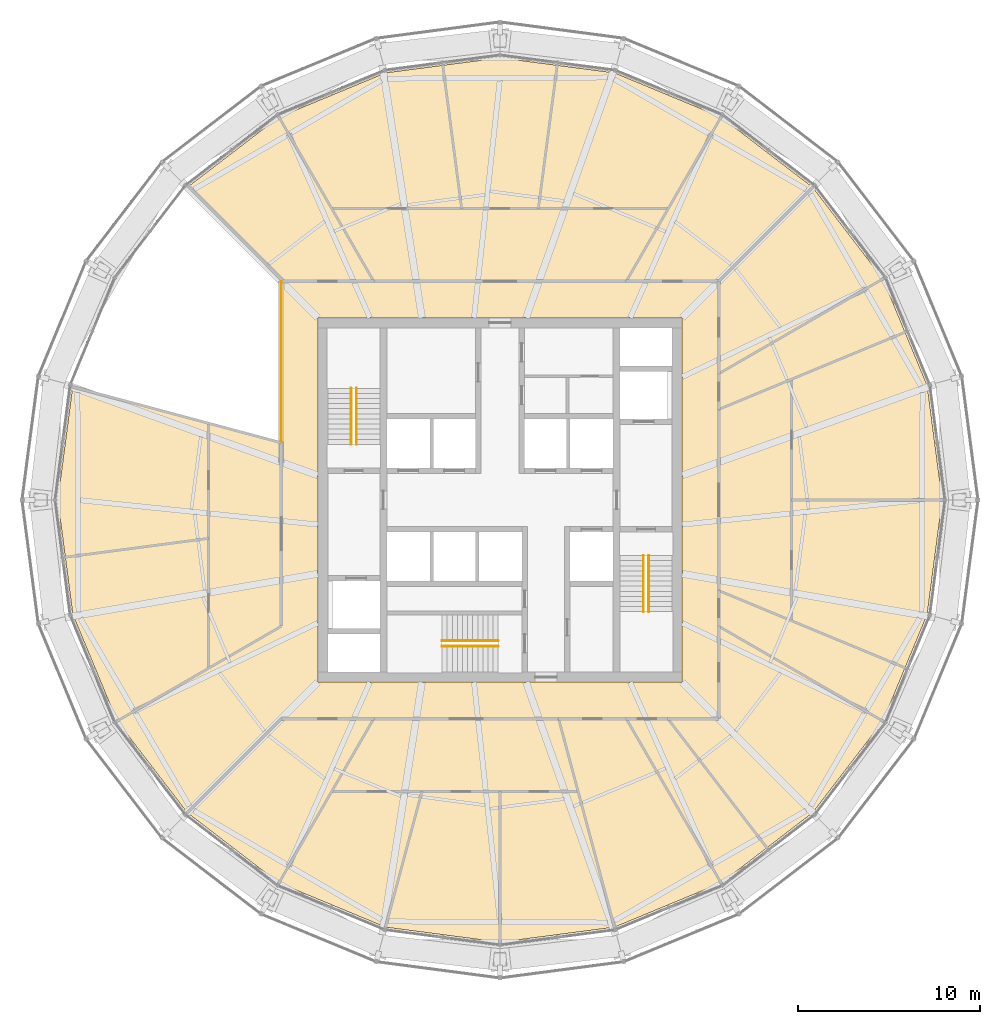
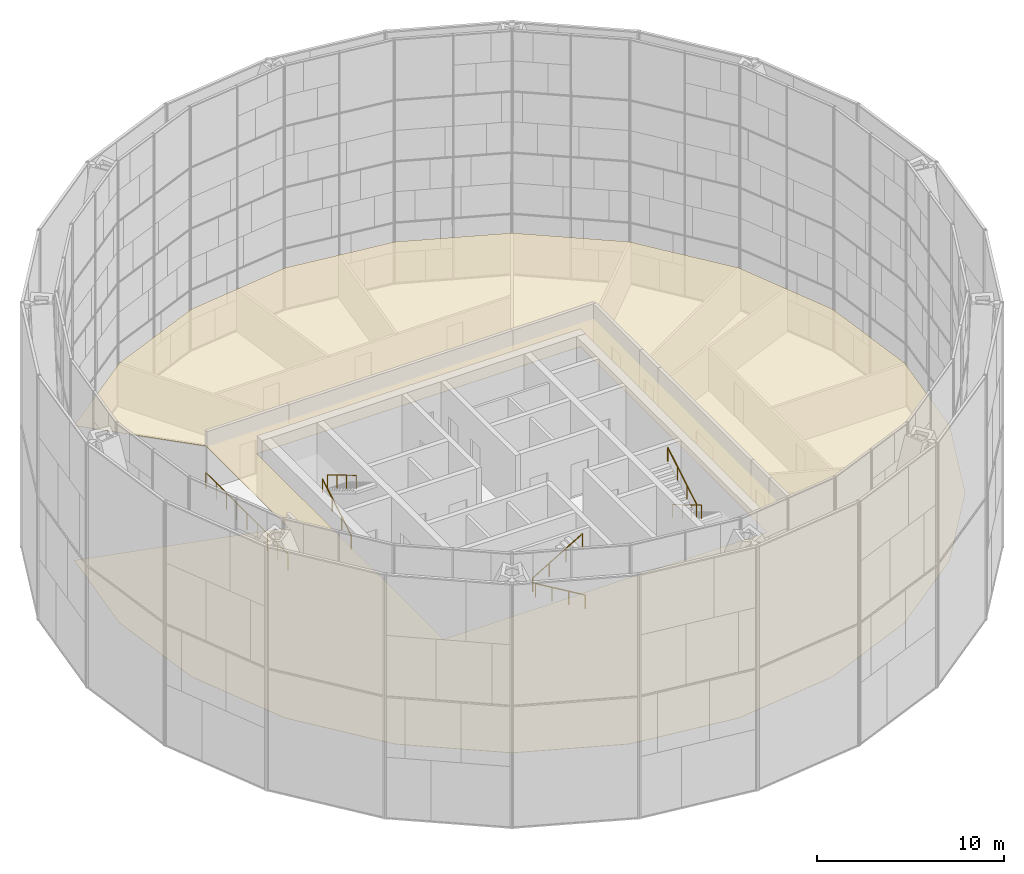
# One storey, part 28 of 28: 7 railings, 1 covering.
"""IFC4 building model written with IfcOpenShell, lengths in metres."""

import ifcopenshell
import ifcopenshell.guid

model = None  # the IFC model being written
_history = None  # IfcOwnerHistory: only IFC2X3 demands one
_inside = {}  # id of a spatial element -> (the spatial element, [elements in it])
_under = {}  # id of a project, library or spatial element -> (it, [spatial elements below it])
_declared = {}  # id of a project -> (the project, [libraries it declares])
_typed = {}  # id of a type object -> (the type object, [elements of that type])
_made_of = {}  # id of a material, layer set ... -> (it, [elements and type objects made of it])


def new_model(schema):
    """Start an empty IFC model of exactly this schema.

    Asked for "IFC4X3", IfcOpenShell would pick the latest addendum, in which some entities
    have other attributes; the version numbers below select the first issue.
    IFC2X3 requires an IfcOwnerHistory on every rooted entity: one is made here for all.
    """
    global model, _history
    if schema == "IFC4X3":
        model = ifcopenshell.file(schema_version=(4, 3, 0, 0))
    else:
        model = ifcopenshell.file(schema=schema)
    _inside.clear()
    _under.clear()
    _declared.clear()
    _typed.clear()
    _made_of.clear()
    _history = None
    if model.schema == "IFC2X3":
        org = make("IfcOrganization", Name="unknown")
        user = make(
            "IfcPersonAndOrganization",
            ThePerson=make("IfcPerson", FamilyName="unknown"),
            TheOrganization=org,
        )
        app = make(
            "IfcApplication",
            ApplicationDeveloper=org,
            Version="unknown",
            ApplicationFullName="unknown",
            ApplicationIdentifier="unknown",
        )
        _history = make(
            "IfcOwnerHistory",
            OwningUser=user,
            OwningApplication=app,
            ChangeAction="ADDED",
            CreationDate=0,
        )
    return model


def make(cls, **values):
    """One entity of the class cls with the attributes given. An attribute that is None is left unset."""
    return model.create_entity(
        cls, **{name: value for name, value in values.items() if value is not None}
    )


def rooted(cls, **values):
    """An entity with a GlobalId (a new one), such as an element, a storey or a relation."""
    return make(cls, GlobalId=ifcopenshell.guid.new(), OwnerHistory=_history, **values)


def si_unit(unit_type, name, prefix=None):
    """IfcSIUnit, for example si_unit("LENGTHUNIT", "METRE", prefix="MILLI")."""
    return make("IfcSIUnit", UnitType=unit_type, Prefix=prefix, Name=name)


def assignment(units):
    """IfcUnitAssignment: the units of a project."""
    return None if units is None else make("IfcUnitAssignment", Units=units)


def point(xyz):
    """IfcCartesianPoint."""
    return None if xyz is None else make("IfcCartesianPoint", Coordinates=xyz)


def direction(xyz):
    """IfcDirection."""
    return None if xyz is None else make("IfcDirection", DirectionRatios=xyz)


def frame(location, z_axis=None, x_axis=None):
    """IfcAxis2Placement3D, a coordinate frame: its origin and axes. An axis left out is left unset."""
    return make(
        "IfcAxis2Placement3D",
        Location=point(location),
        Axis=direction(z_axis),
        RefDirection=direction(x_axis),
    )


def frame_2d(location, x_axis=None):
    """IfcAxis2Placement2D, a coordinate frame in the plane: its origin and x axis."""
    return make(
        "IfcAxis2Placement2D", Location=point(location), RefDirection=direction(x_axis)
    )


def origin():
    """The frame at (0, 0, 0) with its axes left unset."""
    return frame((0.0, 0.0, 0.0))


def origin_2d():
    """The frame at (0, 0) in the plane with its x axis left unset."""
    return frame_2d((0.0, 0.0))


def place(relative_to, where):
    """IfcLocalPlacement: puts the frame where relative to a parent placement (None: the world)."""
    return make(
        "IfcLocalPlacement", PlacementRelTo=relative_to, RelativePlacement=where
    )


def context(
    kind, dimensions, precision=None, world=None, true_north=None, identifier=None
):
    """IfcGeometricRepresentationContext, for example the 3D "Model" context."""
    return make(
        "IfcGeometricRepresentationContext",
        ContextIdentifier=identifier,
        ContextType=kind,
        CoordinateSpaceDimension=dimensions,
        Precision=precision,
        WorldCoordinateSystem=world,
        TrueNorth=true_north,
    )


def subcontext(parent, identifier, kind, view, scale=None):
    """IfcGeometricRepresentationSubContext, for example "Body" below "Model"."""
    return make(
        "IfcGeometricRepresentationSubContext",
        ContextIdentifier=identifier,
        ContextType=kind,
        ParentContext=parent,
        TargetScale=scale,
        TargetView=view,
    )


def project(units=None, contexts=None):
    """IfcProject with its units and contexts."""
    return rooted(
        "IfcProject",
        Name="project",
        RepresentationContexts=contexts,
        UnitsInContext=assignment(units),
    )


def spatial(cls, under=None, at=None, **own):
    """A site, building, storey or space (cls), placed at a placement, below another one or the project."""
    s = rooted(cls, ObjectPlacement=at, **own)
    if under is not None:
        _under.setdefault(under.id(), (under, []))[1].append(s)
    return s


def polyline(points):
    """IfcPolyline through the points."""
    return make("IfcPolyline", Points=[point(p) for p in points])


def profile(cls, at=None, kind="AREA", **sizes):
    """A parametric profile (cls). Its sizes go by their IFC names, for example OverallWidth=200.0."""
    return make(cls, ProfileType=kind, Position=at, **sizes)


def circle(**sizes):
    """IfcCircleProfileDef."""
    return profile("IfcCircleProfileDef", **sizes)


def outline(outer, holes=None, kind="AREA"):
    """IfcArbitraryClosedProfileDef: a profile drawn as a closed curve; with holes, ...WithVoids."""
    if holes is None:
        return make("IfcArbitraryClosedProfileDef", ProfileType=kind, OuterCurve=outer)
    return make(
        "IfcArbitraryProfileDefWithVoids",
        ProfileType=kind,
        OuterCurve=outer,
        InnerCurves=holes,
    )


def extrude(swept, where, along, depth):
    """IfcExtrudedAreaSolid: the profile swept, set in the frame where, extruded along a direction by depth."""
    return make(
        "IfcExtrudedAreaSolid",
        SweptArea=swept,
        Position=where,
        ExtrudedDirection=direction(along),
        Depth=depth,
    )


def shape(context_of_items, identifier, shape_type, items):
    """IfcShapeRepresentation: the items that make up one representation, for example the "Body"."""
    return make(
        "IfcShapeRepresentation",
        ContextOfItems=context_of_items,
        RepresentationIdentifier=identifier,
        RepresentationType=shape_type,
        Items=items,
    )


def material(Name=None, Category=None):
    """IfcMaterial."""
    return make("IfcMaterial", Name=Name, Category=Category)


def layer(
    of_material, thickness, ventilated=None, Name=None, Category=None, Priority=None
):
    """IfcMaterialLayer: one layer of a wall or slab, of a material (None: an air gap)."""
    return make(
        "IfcMaterialLayer",
        Material=of_material,
        LayerThickness=thickness,
        IsVentilated=ventilated,
        Name=Name,
        Category=Category,
        Priority=Priority,
    )


def layer_set(layers, Name=None):
    """IfcMaterialLayerSet."""
    return make("IfcMaterialLayerSet", MaterialLayers=layers, LayerSetName=Name)


def made_of(thing, what):
    """Note that an element or type object is made of a material, layer set ...; save() writes the relation."""
    if what is not None:
        _made_of.setdefault(what.id(), (what, []))[1].append(thing)
    return thing


def type_object(cls, material=None, **own):
    """A type object (cls), such as IfcWallType, which elements share."""
    return made_of(rooted(cls, **own), material)


def element(
    cls,
    number,
    at=None,
    inside=None,
    cuts=None,
    type_object=None,
    material=None,
    context=None,
    identifier="Body",
    shape_type=None,
    held_by="IfcProductDefinitionShape",
    body=None,
    shapes=None,
    **own,
):
    """One element of the class cls, such as IfcWall. Its Tag is "e" and its number.

    at: its placement. inside: the storey or other place that contains it. cuts: it is an
    opening in that element (IfcRelVoidsElement). A single representation is given by context,
    identifier, shape_type and body (its items); several are given by shapes. held_by: the class
    of the entity that holds the representations. save() writes the other relations.
    """
    e = rooted(cls, Tag="e%d" % number, ObjectPlacement=at, **own)
    if body is not None:
        shapes = [shape(context, identifier, shape_type, body)]
    if shapes is not None:
        e.Representation = make(held_by, Representations=shapes)
    if inside is not None:
        _inside.setdefault(inside.id(), (inside, []))[1].append(e)
    if cuts is not None:
        rooted(
            "IfcRelVoidsElement", RelatingBuildingElement=cuts, RelatedOpeningElement=e
        )
    if type_object is not None:
        _typed.setdefault(type_object.id(), (type_object, []))[1].append(e)
    return made_of(e, material)


def aggregate(whole, parts):
    """IfcRelAggregates: a whole, such as a stair, and the parts it consists of."""
    return rooted("IfcRelAggregates", RelatingObject=whole, RelatedObjects=parts)


def save(model, path):
    """Write the relations noted so far, then the file.

    IfcRelAggregates (storeys below a building ...), IfcRelContainedInSpatialStructure (elements
    in a storey), IfcRelDefinesByType, IfcRelAssociatesMaterial and IfcRelDeclares: one each for
    every whole, place, type object, material and project.
    """
    for whole, parts in _under.values():
        aggregate(whole, parts)
    for where, things in _inside.values():
        rooted(
            "IfcRelContainedInSpatialStructure",
            RelatedElements=things,
            RelatingStructure=where,
        )
    for kind, things in _typed.values():
        rooted("IfcRelDefinesByType", RelatedObjects=things, RelatingType=kind)
    for what, things in _made_of.values():
        rooted("IfcRelAssociatesMaterial", RelatedObjects=things, RelatingMaterial=what)
    for by, libraries in _declared.values():
        rooted("IfcRelDeclares", RelatingContext=by, RelatedDefinitions=libraries)
    model.write(path)


model = new_model("IFC4")

# Units and contexts
model_context = context("Model", 3, precision=1e-05, world=origin(), true_north=direction((0.0, 1.0)))
body_context = subcontext(model_context, "Body", "Model", "MODEL_VIEW")
ifc_project = project(units=[si_unit("LENGTHUNIT", "METRE"), si_unit("AREAUNIT", "SQUARE_METRE"), si_unit("VOLUMEUNIT", "CUBIC_METRE"), si_unit("PLANEANGLEUNIT", "RADIAN"), si_unit("MASSUNIT", "GRAM", prefix="KILO")], contexts=[model_context])

# Site, building, storey
site_placement = place(None, origin())
site = spatial("IfcSite", under=ifc_project, at=site_placement, CompositionType="ELEMENT")
building_placement = place(site_placement, origin())
building = spatial("IfcBuilding", under=site, at=building_placement, Name="Golbaran Civic Tower", CompositionType="ELEMENT")
storey_placement = place(building_placement, frame((0.0, 0.0, 134.0)))
storey = spatial("IfcBuildingStorey", under=building, at=storey_placement, Name="L32", CompositionType="ELEMENT", Elevation=134.0)

# Railings
ifc_material_1 = material(Name="Laminated glass, steel shoe", Category="steel")
railing_type_1 = type_object("IfcRailingType", Name="GLASS BALUSTRADE 1100", PredefinedType="GUARDRAIL", material=ifc_material_1)
railing_1_placement = place(storey_placement, frame((-12.0, 12.0, 0.0)))
element("IfcRailing", 1, at=railing_1_placement, inside=storey, type_object=railing_type_1, Name="Sky garden void guard L32", PredefinedType="GUARDRAIL", context=body_context, shape_type="SweptSolid", body=[
    extrude(circle(Radius=0.02392578125, at=origin_2d()), frame((0.0, 0.0, 1.076171875), z_axis=(0.0, -1.0, 0.0), x_axis=(1.0, 0.0, 0.0)), (0.0, 0.0, 1.0), 8.78466796875),
    extrude(circle(Radius=0.02099609375, at=origin_2d()), origin(), (0.0, 0.0, 1.0), 1.052001953125),
    extrude(circle(Radius=0.02099609375, at=origin_2d()), frame((0.0, -1.09814453125, 0.0)), (0.0, 0.0, 1.0), 1.052001953125),
    extrude(circle(Radius=0.02099609375, at=origin_2d()), frame((0.0, -2.1962890625, 0.0)), (0.0, 0.0, 1.0), 1.052001953125),
    extrude(circle(Radius=0.02099609375, at=origin_2d()), frame((0.0, -3.294189453125, 0.0)), (0.0, 0.0, 1.0), 1.052001953125),
    extrude(circle(Radius=0.02099609375, at=origin_2d()), frame((0.0, -4.392333984375, 0.0)), (0.0, 0.0, 1.0), 1.052001953125),
    extrude(circle(Radius=0.02099609375, at=origin_2d()), frame((0.0, -5.490478515625, 0.0)), (0.0, 0.0, 1.0), 1.052001953125),
    extrude(circle(Radius=0.02099609375, at=origin_2d()), frame((0.0, -6.58837890625, 0.0)), (0.0, 0.0, 1.0), 1.052001953125),
    extrude(circle(Radius=0.02099609375, at=origin_2d()), frame((0.0, -7.6865234375, 0.0)), (0.0, 0.0, 1.0), 1.052001953125),
    extrude(circle(Radius=0.02099609375, at=origin_2d()), frame((0.0, -8.78466796875, 0.0)), (0.0, 0.0, 1.0), 1.052001953125),
])
ifc_material_2 = material(Name="Stainless steel", Category="steel")
railing_type_2 = type_object("IfcRailingType", Name="STAIR HANDRAIL 900", PredefinedType="HANDRAIL", material=ifc_material_2)
railing_2_placement = place(storey_placement, frame((-8.175048828125, 3.050048828125, 0.166748046875)))
element("IfcRailing", 2, at=railing_2_placement, inside=storey, type_object=railing_type_2, Name="Stair S1 handrail flight 1 L32", PredefinedType="HANDRAIL", context=body_context, shape_type="SweptSolid", body=[
    extrude(circle(Radius=0.02392578125, at=origin_2d()), frame((0.0, 0.0, 0.8759765625), z_axis=(0.0, 0.859290745958, 0.51148745235), x_axis=(-1.0, 0.0, 0.0)), (0.0, 0.0, 1.0), 3.584228515625),
    extrude(circle(Radius=0.02099609375, at=origin_2d()), origin(), (0.0, 0.0, 1.0), 0.851806640625),
    extrude(circle(Radius=0.02099609375, at=origin_2d()), frame((0.0, 1.026611328125, 0.611083984375)), (0.0, 0.0, 1.0), 0.851806640625),
    extrude(circle(Radius=0.02099609375, at=origin_2d()), frame((0.0, 2.05322265625, 1.22216796875)), (0.0, 0.0, 1.0), 0.851806640625),
    extrude(circle(Radius=0.02099609375, at=origin_2d()), frame((0.0, 3.079833984375, 1.833251953125)), (0.0, 0.0, 1.0), 0.851806640625),
])
for number, where, name in (
    (3, (-7.875, 6.1298828125, 2.166748046875), "Stair S1 handrail flight 2 L32"),
    (4, (8.175048828125, -3.050048828125, 0.166748046875), "Stair S2 handrail flight 1 L32"),
):
    element("IfcRailing", number, at=place(storey_placement, frame(where)), inside=storey, type_object=railing_type_2, Name=name, PredefinedType="HANDRAIL", context=body_context, shape_type="SweptSolid", body=[
        extrude(circle(Radius=0.02392578125, at=origin_2d()), frame((0.0, 0.0, 0.8759765625), z_axis=(0.0, -0.859290745958, 0.51148745235), x_axis=(1.0, 0.0, 0.0)), (0.0, 0.0, 1.0), 3.584228515625),
        extrude(circle(Radius=0.02099609375, at=origin_2d()), origin(), (0.0, 0.0, 1.0), 0.851806640625),
        extrude(circle(Radius=0.02099609375, at=origin_2d()), frame((0.0, -1.026611328125, 0.611083984375)), (0.0, 0.0, 1.0), 0.851806640625),
        extrude(circle(Radius=0.02099609375, at=origin_2d()), frame((0.0, -2.05322265625, 1.22216796875)), (0.0, 0.0, 1.0), 0.851806640625),
        extrude(circle(Radius=0.02099609375, at=origin_2d()), frame((0.0, -3.079833984375, 1.833251953125)), (0.0, 0.0, 1.0), 0.851806640625),
    ])
railing_3_placement = place(storey_placement, frame((7.875, -6.1298828125, 2.166748046875)))
element("IfcRailing", 5, at=railing_3_placement, inside=storey, type_object=railing_type_2, Name="Stair S2 handrail flight 2 L32", PredefinedType="HANDRAIL", context=body_context, shape_type="SweptSolid", body=[
    extrude(circle(Radius=0.02392578125, at=origin_2d()), frame((0.0, 0.0, 0.8759765625), z_axis=(0.0, 0.859290745958, 0.51148745235), x_axis=(-1.0, 0.0, 0.0)), (0.0, 0.0, 1.0), 3.584228515625),
    extrude(circle(Radius=0.02099609375, at=origin_2d()), origin(), (0.0, 0.0, 1.0), 0.851806640625),
    extrude(circle(Radius=0.02099609375, at=origin_2d()), frame((0.0, 1.026611328125, 0.611083984375)), (0.0, 0.0, 1.0), 0.851806640625),
    extrude(circle(Radius=0.02099609375, at=origin_2d()), frame((0.0, 2.05322265625, 1.22216796875)), (0.0, 0.0, 1.0), 0.851806640625),
    extrude(circle(Radius=0.02099609375, at=origin_2d()), frame((0.0, 3.079833984375, 1.833251953125)), (0.0, 0.0, 1.0), 0.851806640625),
])
railing_4_placement = place(storey_placement, frame((-0.10009765625, -8.02490234375, 0.166748046875)))
element("IfcRailing", 6, at=railing_4_placement, inside=storey, type_object=railing_type_2, Name="Stair S3 handrail flight 1 L32", PredefinedType="HANDRAIL", context=body_context, shape_type="SweptSolid", body=[
    extrude(circle(Radius=0.02392578125, at=origin_2d()), frame((0.0, 0.0, 0.8759765625), z_axis=(-0.859290745958, 0.0, 0.51148745235), x_axis=(0.0, -1.0, 0.0)), (0.0, 0.0, 1.0), 3.584228515625),
    extrude(circle(Radius=0.02099609375, at=origin_2d()), origin(), (0.0, 0.0, 1.0), 0.851806640625),
    extrude(circle(Radius=0.02099609375, at=origin_2d()), frame((-1.026611328125, 0.0, 0.611083984375)), (0.0, 0.0, 1.0), 0.851806640625),
    extrude(circle(Radius=0.02099609375, at=origin_2d()), frame((-2.05322265625, 0.0, 1.22216796875)), (0.0, 0.0, 1.0), 0.851806640625),
    extrude(circle(Radius=0.02099609375, at=origin_2d()), frame((-3.079833984375, 0.0, 1.833251953125)), (0.0, 0.0, 1.0), 0.851806640625),
])
railing_5_placement = place(storey_placement, frame((-3.179931640625, -7.72509765625, 2.166748046875)))
element("IfcRailing", 7, at=railing_5_placement, inside=storey, type_object=railing_type_2, Name="Stair S3 handrail flight 2 L32", PredefinedType="HANDRAIL", context=body_context, shape_type="SweptSolid", body=[
    extrude(circle(Radius=0.02392578125, at=origin_2d()), frame((0.0, 0.0, 0.8759765625), z_axis=(0.859290745958, 0.0, 0.51148745235), x_axis=(0.0, 1.0, 0.0)), (0.0, 0.0, 1.0), 3.584228515625),
    extrude(circle(Radius=0.02099609375, at=origin_2d()), origin(), (0.0, 0.0, 1.0), 0.851806640625),
    extrude(circle(Radius=0.02099609375, at=origin_2d()), frame((1.026611328125, 0.0, 0.611083984375)), (0.0, 0.0, 1.0), 0.851806640625),
    extrude(circle(Radius=0.02099609375, at=origin_2d()), frame((2.05322265625, 0.0, 1.22216796875)), (0.0, 0.0, 1.0), 0.851806640625),
    extrude(circle(Radius=0.02099609375, at=origin_2d()), frame((3.079833984375, 0.0, 1.833251953125)), (0.0, 0.0, 1.0), 0.851806640625),
])

# Covering
ifc_material_3 = material(Name="Mineral fibre tile on steel grid", Category="steel")
ifc_layer = layer(ifc_material_3, 0.02001953125, Name="Mineral fibre tile on steel grid")
ifc_layer_set = layer_set([ifc_layer], Name="Mineral fibre tile on steel grid")
covering_type = type_object("IfcCoveringType", Name="SUSPENDED CEILING 600 TILE 20", PredefinedType="CEILING", material=ifc_layer_set)
covering_placement = place(storey_placement, frame((0.0, 0.0, 2.800048828125)))
element("IfcCovering", 8, at=covering_placement, inside=storey, type_object=covering_type, Name="Suspended ceiling L32", PredefinedType="CEILING", context=body_context, shape_type="SweptSolid", body=[
    extrude(outline(polyline([(-24.27490234375, 0.0), (-23.44775390625, 6.28271484375), (-12.0, 3.21533203125), (-12.0, 12.0), (-17.1650390625, 17.1650390625), (-12.137451171875, 21.022705078125), (-6.28271484375, 23.44775390625), (0.0, 24.27490234375), (3.2900390625, 23.841796875), (6.28271484375, 23.44775390625), (12.137451171875, 21.022705078125), (17.1650390625, 17.1650390625), (21.022705078125, 12.137451171875), (23.44775390625, 6.28271484375), (24.27490234375, 0.0), (23.44775390625, -6.28271484375), (21.022705078125, -12.137451171875), (17.1650390625, -17.1650390625), (12.137451171875, -21.022705078125), (6.28271484375, -23.44775390625), (0.0, -24.27490234375), (-6.28271484375, -23.44775390625), (-12.137451171875, -21.022705078125), (-17.1650390625, -17.1650390625), (-21.022705078125, -12.137451171875), (-23.44775390625, -6.28271484375), (-24.27490234375, 0.0)]), holes=[polyline([(-10.0, -10.0), (10.0, -10.0), (10.0, 10.0), (-10.0, 10.0), (-10.0, -10.0)])]), origin(), (0.0, 0.0, 1.0), 0.02001953125),
])

save(model, "model.ifc")
